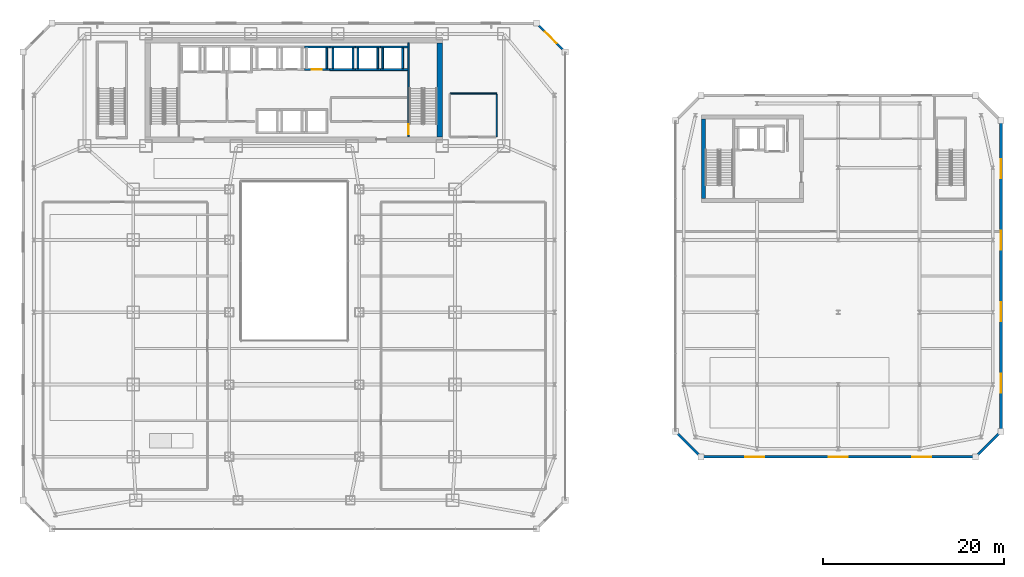
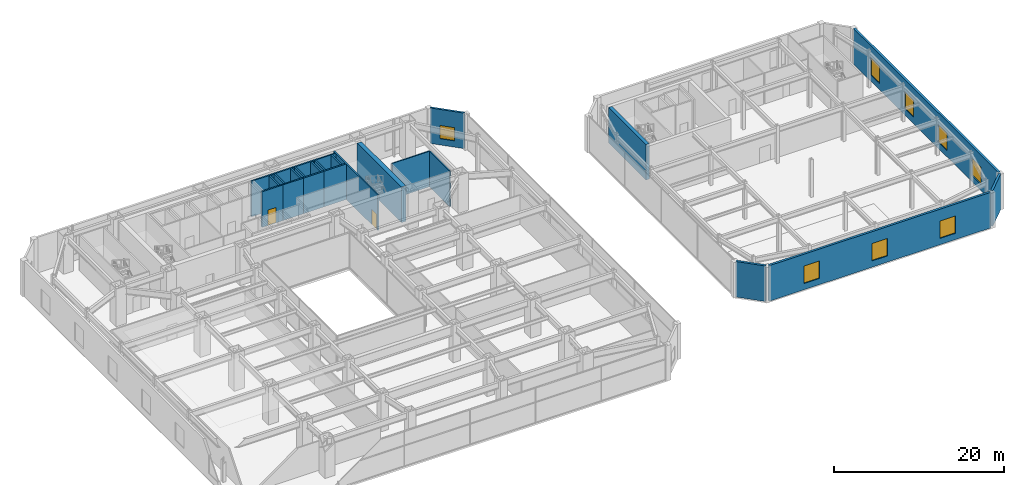
# One storey, part 41 of 51: 25 walls, 8 windows, 2 doors, 10 openings.
"""IFC4 building model written with IfcOpenShell, lengths in metres."""

import ifcopenshell
import ifcopenshell.guid

model = None  # the IFC model being written
_history = None  # IfcOwnerHistory: only IFC2X3 demands one
_inside = {}  # id of a spatial element -> (the spatial element, [elements in it])
_under = {}  # id of a project, library or spatial element -> (it, [spatial elements below it])
_declared = {}  # id of a project -> (the project, [libraries it declares])
_typed = {}  # id of a type object -> (the type object, [elements of that type])
_made_of = {}  # id of a material, layer set ... -> (it, [elements and type objects made of it])


def new_model(schema):
    """Start an empty IFC model of exactly this schema.

    Asked for "IFC4X3", IfcOpenShell would pick the latest addendum, in which some entities
    have other attributes; the version numbers below select the first issue.
    IFC2X3 requires an IfcOwnerHistory on every rooted entity: one is made here for all.
    """
    global model, _history
    if schema == "IFC4X3":
        model = ifcopenshell.file(schema_version=(4, 3, 0, 0))
    else:
        model = ifcopenshell.file(schema=schema)
    _inside.clear()
    _under.clear()
    _declared.clear()
    _typed.clear()
    _made_of.clear()
    _history = None
    if model.schema == "IFC2X3":
        org = make("IfcOrganization", Name="unknown")
        user = make(
            "IfcPersonAndOrganization",
            ThePerson=make("IfcPerson", FamilyName="unknown"),
            TheOrganization=org,
        )
        app = make(
            "IfcApplication",
            ApplicationDeveloper=org,
            Version="unknown",
            ApplicationFullName="unknown",
            ApplicationIdentifier="unknown",
        )
        _history = make(
            "IfcOwnerHistory",
            OwningUser=user,
            OwningApplication=app,
            ChangeAction="ADDED",
            CreationDate=0,
        )
    return model


def make(cls, **values):
    """One entity of the class cls with the attributes given. An attribute that is None is left unset."""
    return model.create_entity(
        cls, **{name: value for name, value in values.items() if value is not None}
    )


def rooted(cls, **values):
    """An entity with a GlobalId (a new one), such as an element, a storey or a relation."""
    return make(cls, GlobalId=ifcopenshell.guid.new(), OwnerHistory=_history, **values)


def si_unit(unit_type, name, prefix=None):
    """IfcSIUnit, for example si_unit("LENGTHUNIT", "METRE", prefix="MILLI")."""
    return make("IfcSIUnit", UnitType=unit_type, Prefix=prefix, Name=name)


def assignment(units):
    """IfcUnitAssignment: the units of a project."""
    return None if units is None else make("IfcUnitAssignment", Units=units)


def point(xyz):
    """IfcCartesianPoint."""
    return None if xyz is None else make("IfcCartesianPoint", Coordinates=xyz)


def direction(xyz):
    """IfcDirection."""
    return None if xyz is None else make("IfcDirection", DirectionRatios=xyz)


def frame(location, z_axis=None, x_axis=None):
    """IfcAxis2Placement3D, a coordinate frame: its origin and axes. An axis left out is left unset."""
    return make(
        "IfcAxis2Placement3D",
        Location=point(location),
        Axis=direction(z_axis),
        RefDirection=direction(x_axis),
    )


def frame_2d(location, x_axis=None):
    """IfcAxis2Placement2D, a coordinate frame in the plane: its origin and x axis."""
    return make(
        "IfcAxis2Placement2D", Location=point(location), RefDirection=direction(x_axis)
    )


def origin():
    """The frame at (0, 0, 0) with its axes left unset."""
    return frame((0.0, 0.0, 0.0))


def place(relative_to, where):
    """IfcLocalPlacement: puts the frame where relative to a parent placement (None: the world)."""
    return make(
        "IfcLocalPlacement", PlacementRelTo=relative_to, RelativePlacement=where
    )


def context(
    kind, dimensions, precision=None, world=None, true_north=None, identifier=None
):
    """IfcGeometricRepresentationContext, for example the 3D "Model" context."""
    return make(
        "IfcGeometricRepresentationContext",
        ContextIdentifier=identifier,
        ContextType=kind,
        CoordinateSpaceDimension=dimensions,
        Precision=precision,
        WorldCoordinateSystem=world,
        TrueNorth=true_north,
    )


def subcontext(parent, identifier, kind, view, scale=None):
    """IfcGeometricRepresentationSubContext, for example "Body" below "Model"."""
    return make(
        "IfcGeometricRepresentationSubContext",
        ContextIdentifier=identifier,
        ContextType=kind,
        ParentContext=parent,
        TargetScale=scale,
        TargetView=view,
    )


def project(units=None, contexts=None):
    """IfcProject with its units and contexts."""
    return rooted(
        "IfcProject",
        Name="project",
        RepresentationContexts=contexts,
        UnitsInContext=assignment(units),
    )


def spatial(cls, under=None, at=None, **own):
    """A site, building, storey or space (cls), placed at a placement, below another one or the project."""
    s = rooted(cls, ObjectPlacement=at, **own)
    if under is not None:
        _under.setdefault(under.id(), (under, []))[1].append(s)
    return s


def profile(cls, at=None, kind="AREA", **sizes):
    """A parametric profile (cls). Its sizes go by their IFC names, for example OverallWidth=200.0."""
    return make(cls, ProfileType=kind, Position=at, **sizes)


def rectangle(**sizes):
    """IfcRectangleProfileDef."""
    return profile("IfcRectangleProfileDef", **sizes)


def extrude(swept, where, along, depth):
    """IfcExtrudedAreaSolid: the profile swept, set in the frame where, extruded along a direction by depth."""
    return make(
        "IfcExtrudedAreaSolid",
        SweptArea=swept,
        Position=where,
        ExtrudedDirection=direction(along),
        Depth=depth,
    )


def shape(context_of_items, identifier, shape_type, items):
    """IfcShapeRepresentation: the items that make up one representation, for example the "Body"."""
    return make(
        "IfcShapeRepresentation",
        ContextOfItems=context_of_items,
        RepresentationIdentifier=identifier,
        RepresentationType=shape_type,
        Items=items,
    )


def material(Name=None, Category=None):
    """IfcMaterial."""
    return make("IfcMaterial", Name=Name, Category=Category)


def layer(
    of_material, thickness, ventilated=None, Name=None, Category=None, Priority=None
):
    """IfcMaterialLayer: one layer of a wall or slab, of a material (None: an air gap)."""
    return make(
        "IfcMaterialLayer",
        Material=of_material,
        LayerThickness=thickness,
        IsVentilated=ventilated,
        Name=Name,
        Category=Category,
        Priority=Priority,
    )


def layer_set(layers, Name=None):
    """IfcMaterialLayerSet."""
    return make("IfcMaterialLayerSet", MaterialLayers=layers, LayerSetName=Name)


def made_of(thing, what):
    """Note that an element or type object is made of a material, layer set ...; save() writes the relation."""
    if what is not None:
        _made_of.setdefault(what.id(), (what, []))[1].append(thing)
    return thing


def type_object(cls, material=None, **own):
    """A type object (cls), such as IfcWallType, which elements share."""
    return made_of(rooted(cls, **own), material)


def element(
    cls,
    number,
    at=None,
    inside=None,
    cuts=None,
    type_object=None,
    material=None,
    context=None,
    identifier="Body",
    shape_type=None,
    held_by="IfcProductDefinitionShape",
    body=None,
    shapes=None,
    **own,
):
    """One element of the class cls, such as IfcWall. Its Tag is "e" and its number.

    at: its placement. inside: the storey or other place that contains it. cuts: it is an
    opening in that element (IfcRelVoidsElement). A single representation is given by context,
    identifier, shape_type and body (its items); several are given by shapes. held_by: the class
    of the entity that holds the representations. save() writes the other relations.
    """
    e = rooted(cls, Tag="e%d" % number, ObjectPlacement=at, **own)
    if body is not None:
        shapes = [shape(context, identifier, shape_type, body)]
    if shapes is not None:
        e.Representation = make(held_by, Representations=shapes)
    if inside is not None:
        _inside.setdefault(inside.id(), (inside, []))[1].append(e)
    if cuts is not None:
        rooted(
            "IfcRelVoidsElement", RelatingBuildingElement=cuts, RelatedOpeningElement=e
        )
    if type_object is not None:
        _typed.setdefault(type_object.id(), (type_object, []))[1].append(e)
    return made_of(e, material)


def fill(opening, filler):
    """IfcRelFillsElement: the door or window that sits in an opening."""
    return rooted(
        "IfcRelFillsElement",
        RelatingOpeningElement=opening,
        RelatedBuildingElement=filler,
    )


def aggregate(whole, parts):
    """IfcRelAggregates: a whole, such as a stair, and the parts it consists of."""
    return rooted("IfcRelAggregates", RelatingObject=whole, RelatedObjects=parts)


def save(model, path):
    """Write the relations noted so far, then the file.

    IfcRelAggregates (storeys below a building ...), IfcRelContainedInSpatialStructure (elements
    in a storey), IfcRelDefinesByType, IfcRelAssociatesMaterial and IfcRelDeclares: one each for
    every whole, place, type object, material and project.
    """
    for whole, parts in _under.values():
        aggregate(whole, parts)
    for where, things in _inside.values():
        rooted(
            "IfcRelContainedInSpatialStructure",
            RelatedElements=things,
            RelatingStructure=where,
        )
    for kind, things in _typed.values():
        rooted("IfcRelDefinesByType", RelatedObjects=things, RelatingType=kind)
    for what, things in _made_of.values():
        rooted("IfcRelAssociatesMaterial", RelatedObjects=things, RelatingMaterial=what)
    for by, libraries in _declared.values():
        rooted("IfcRelDeclares", RelatingContext=by, RelatedDefinitions=libraries)
    model.write(path)


model = new_model("IFC4")

# Units and contexts
model_context = context("Model", 3, precision=1e-05, world=origin(), true_north=direction((0.0, 1.0)))
body_context = subcontext(model_context, "Body", "Model", "MODEL_VIEW")
ifc_project = project(units=[si_unit("LENGTHUNIT", "METRE"), si_unit("AREAUNIT", "SQUARE_METRE"), si_unit("VOLUMEUNIT", "CUBIC_METRE"), si_unit("PLANEANGLEUNIT", "RADIAN"), si_unit("MASSUNIT", "GRAM", prefix="KILO")], contexts=[model_context])

# Site, building, storey
site_placement = place(None, origin())
site = spatial("IfcSite", under=ifc_project, at=site_placement, CompositionType="ELEMENT")
building_placement = place(site_placement, origin())
building = spatial("IfcBuilding", under=site, at=building_placement, Name="Saevonmaru Cultural Tower", CompositionType="ELEMENT")
storey_placement = place(building_placement, frame((0.0, 0.0, 6.0)))
storey = spatial("IfcBuildingStorey", under=building, at=storey_placement, Name="L01", CompositionType="ELEMENT", Elevation=6.0)

# Walls
ifc_material_1 = material(Name="Concrete C60/75", Category="concrete")
ifc_layer_1 = layer(ifc_material_1, 0.60009765625, Name="Concrete C60/75")
ifc_layer_set_1 = layer_set([ifc_layer_1], Name="Concrete C60/75")
wall_type_1 = type_object("IfcWallType", Name="WL-CORE-600", PredefinedType="SHEAR", material=ifc_layer_set_1)
wall_1_placement = place(storey_placement, frame((46.10009765625, 43.39990234375, 0.0), z_axis=(0.0, 0.0, 1.0), x_axis=(0.0, 1.0, 0.0)))
element("IfcWall", 1, at=wall_1_placement, inside=storey, type_object=wall_type_1, Name="L01 Tower RC core shear wall E", PredefinedType="SHEAR", context=body_context, shape_type="SweptSolid", body=[
    extrude(rectangle(XDim=10.400146484375, YDim=0.60009765625, at=frame_2d((5.2001953125, 0.0))), origin(), (0.0, 0.0, 1.0), 5.10009765625),
])
ifc_material_2 = material(Name="Warm Limestone Precast Concrete C40/50", Category="masonry")
ifc_layer_2 = layer(ifc_material_2, 0.300048828125, Name="Warm Limestone Precast Concrete C40/50")
ifc_layer_set_2 = layer_set([ifc_layer_2], Name="Warm Limestone Precast Concrete C40/50")
wall_type_2 = type_object("IfcWallType", Name="WL-EXT-LIB-300", PredefinedType="STANDARD", material=ifc_layer_set_2)
wall_2_placement = place(storey_placement, frame((72.31298828125, 10.68701171875, 0.0), z_axis=(0.0, 0.0, 1.0), x_axis=(0.707106781187, -0.707106781187, 0.0)))
element("IfcWall", 2, at=wall_2_placement, inside=storey, type_object=wall_type_2, Name="L01 Central Library Fluted Stone Wall E1", PredefinedType="STANDARD", context=body_context, shape_type="SweptSolid", body=[
    extrude(rectangle(XDim=3.64013671875, YDim=0.300048828125, at=frame_2d((1.820068359375, 0.0))), origin(), (0.0, 0.0, 1.0), 5.10009765625),
])

# Wall, openings, windows
wall_3_placement = place(storey_placement, frame((75.159912109375, 8.0, 0.0), z_axis=(0.0, 0.0, 1.0), x_axis=(1.0, 0.0, 0.0)))
wall_3 = element("IfcWall", 3, at=wall_3_placement, inside=storey, type_object=wall_type_2, Name="L01 Central Library Fluted Stone Wall E2", PredefinedType="STANDARD", context=body_context, shape_type="SweptSolid", body=[
    extrude(rectangle(XDim=30.080078125, YDim=0.300048828125, at=frame_2d((15.0400390625, 0.0))), origin(), (0.0, 0.0, 1.0), 5.10009765625),
])
opening_1_placement = place(wall_3_placement, frame((4.762939453125, 0.0, 0.89990234375)))
opening_1 = element("IfcOpeningElement", 4, at=opening_1_placement, cuts=wall_3, Name="Opening W-3", PredefinedType="OPENING", context=body_context, shape_type="SweptSolid", body=[
    extrude(rectangle(XDim=2.10009765625, YDim=2.5, at=frame_2d((1.050048828125, 1.25))), frame((0.0, 0.16015625, 0.0), z_axis=(0.0, -1.0, 0.0), x_axis=(1.0, 0.0, 0.0)), (0.0, 0.0, 1.0), 0.320068359375),
])
opening_2_placement = place(wall_3_placement, frame((13.989990234375, 0.0, 0.89990234375)))
opening_2 = element("IfcOpeningElement", 5, at=opening_2_placement, cuts=wall_3, Name="Opening W-3", PredefinedType="OPENING", context=body_context, shape_type="SweptSolid", body=[
    extrude(rectangle(XDim=2.10009765625, YDim=2.5, at=frame_2d((1.050048828125, 1.25))), frame((0.0, 0.16015625, 0.0), z_axis=(0.0, -1.0, 0.0), x_axis=(1.0, 0.0, 0.0)), (0.0, 0.0, 1.0), 0.320068359375),
])
opening_3_placement = place(wall_3_placement, frame((23.217041015625, 0.0, 0.89990234375)))
opening_3 = element("IfcOpeningElement", 6, at=opening_3_placement, cuts=wall_3, Name="Opening W-3", PredefinedType="OPENING", context=body_context, shape_type="SweptSolid", body=[
    extrude(rectangle(XDim=2.10009765625, YDim=2.5, at=frame_2d((1.050048828125, 1.25))), frame((0.0, 0.16015625, 0.0), z_axis=(0.0, -1.0, 0.0), x_axis=(1.0, 0.0, 0.0)), (0.0, 0.0, 1.0), 0.320068359375),
])
ifc_material_3 = material(Name="Satin Bronze Anodised Aluminium", Category="aluminium")
window_type_1 = type_object("IfcWindowType", Name="WN-LIB-2100x2500", PartitioningType="DOUBLE_PANEL_VERTICAL", PredefinedType="WINDOW", material=ifc_material_3)
window_1_placement = place(opening_1_placement, origin())
window_1 = element("IfcWindow", 7, at=window_1_placement, inside=storey, type_object=window_type_1, Name="L01 Library Reading Window E2-1", OverallHeight=2.5, OverallWidth=2.10009765625, PartitioningType="DOUBLE_PANEL_VERTICAL", PredefinedType="WINDOW", context=body_context, shape_type="SweptSolid", body=[
    extrude(rectangle(XDim=2.10009765625, YDim=2.5, at=frame_2d((1.050048828125, 1.25))), frame((0.0, 0.030029296875, 0.0), z_axis=(0.0, -1.0, 0.0), x_axis=(1.0, 0.0, 0.0)), (0.0, 0.0, 1.0), 0.06005859375),
])
fill(opening_1, window_1)
window_2_placement = place(opening_2_placement, origin())
window_2 = element("IfcWindow", 8, at=window_2_placement, inside=storey, type_object=window_type_1, Name="L01 Library Reading Window E2-2", OverallHeight=2.5, OverallWidth=2.10009765625, PartitioningType="DOUBLE_PANEL_VERTICAL", PredefinedType="WINDOW", context=body_context, shape_type="SweptSolid", body=[
    extrude(rectangle(XDim=2.10009765625, YDim=2.5, at=frame_2d((1.050048828125, 1.25))), frame((0.0, 0.030029296875, 0.0), z_axis=(0.0, -1.0, 0.0), x_axis=(1.0, 0.0, 0.0)), (0.0, 0.0, 1.0), 0.06005859375),
])
fill(opening_2, window_2)
window_3_placement = place(opening_3_placement, origin())
window_3 = element("IfcWindow", 9, at=window_3_placement, inside=storey, type_object=window_type_1, Name="L01 Library Reading Window E2-3", OverallHeight=2.5, OverallWidth=2.10009765625, PartitioningType="DOUBLE_PANEL_VERTICAL", PredefinedType="WINDOW", context=body_context, shape_type="SweptSolid", body=[
    extrude(rectangle(XDim=2.10009765625, YDim=2.5, at=frame_2d((1.050048828125, 1.25))), frame((0.0, 0.030029296875, 0.0), z_axis=(0.0, -1.0, 0.0), x_axis=(1.0, 0.0, 0.0)), (0.0, 0.0, 1.0), 0.06005859375),
])
fill(opening_3, window_3)

# Wall
wall_4_placement = place(storey_placement, frame((105.51318359375, 8.113037109375, 0.0), z_axis=(0.0, 0.0, 1.0), x_axis=(0.707073244381, 0.707140316402, 0.0)))
element("IfcWall", 10, at=wall_4_placement, inside=storey, type_object=wall_type_2, Name="L01 Central Library Fluted Stone Wall E3", PredefinedType="STANDARD", context=body_context, shape_type="SweptSolid", body=[
    extrude(rectangle(XDim=3.639892578125, YDim=0.300048828125, at=frame_2d((1.81982421875, 0.0))), origin(), (0.0, 0.0, 1.0), 5.10009765625),
])

# Wall, openings, windows
wall_5_placement = place(storey_placement, frame((108.199951171875, 10.9599609375, 0.0), z_axis=(0.0, 0.0, 1.0), x_axis=(0.0, 1.0, 0.0)))
wall_5 = element("IfcWall", 11, at=wall_5_placement, inside=storey, type_object=wall_type_2, Name="L01 Central Library Fluted Stone Wall E4", PredefinedType="STANDARD", context=body_context, shape_type="SweptSolid", body=[
    extrude(rectangle(XDim=34.080078125, YDim=0.300048828125, at=frame_2d((17.0400390625, 0.0))), origin(), (0.0, 0.0, 1.0), 5.10009765625),
])
opening_4_placement = place(wall_5_placement, frame((4.110107421875, 0.0, 0.89990234375)))
opening_4 = element("IfcOpeningElement", 12, at=opening_4_placement, cuts=wall_5, Name="Opening W-3", PredefinedType="OPENING", context=body_context, shape_type="SweptSolid", body=[
    extrude(rectangle(XDim=2.10009765625, YDim=2.5, at=frame_2d((1.050048828125, 1.25))), frame((0.0, 0.16015625, 0.0), z_axis=(0.0, -1.0, 0.0), x_axis=(1.0, 0.0, 0.0)), (0.0, 0.0, 1.0), 0.320068359375),
])
opening_5_placement = place(wall_5_placement, frame((12.030029296875, 0.0, 0.89990234375)))
opening_5 = element("IfcOpeningElement", 13, at=opening_5_placement, cuts=wall_5, Name="Opening W-3", PredefinedType="OPENING", context=body_context, shape_type="SweptSolid", body=[
    extrude(rectangle(XDim=2.10009765625, YDim=2.5, at=frame_2d((1.050048828125, 1.25))), frame((0.0, 0.16015625, 0.0), z_axis=(0.0, -1.0, 0.0), x_axis=(1.0, 0.0, 0.0)), (0.0, 0.0, 1.0), 0.320068359375),
])
opening_6_placement = place(wall_5_placement, frame((19.949951171875, 0.0, 0.89990234375)))
opening_6 = element("IfcOpeningElement", 14, at=opening_6_placement, cuts=wall_5, Name="Opening W-3", PredefinedType="OPENING", context=body_context, shape_type="SweptSolid", body=[
    extrude(rectangle(XDim=2.10009765625, YDim=2.5, at=frame_2d((1.050048828125, 1.25))), frame((0.0, 0.16015625, 0.0), z_axis=(0.0, -1.0, 0.0), x_axis=(1.0, 0.0, 0.0)), (0.0, 0.0, 1.0), 0.320068359375),
])
opening_7_placement = place(wall_5_placement, frame((27.8701171875, 0.0, 0.89990234375)))
opening_7 = element("IfcOpeningElement", 15, at=opening_7_placement, cuts=wall_5, Name="Opening W-3", PredefinedType="OPENING", context=body_context, shape_type="SweptSolid", body=[
    extrude(rectangle(XDim=2.10009765625, YDim=2.5, at=frame_2d((1.050048828125, 1.25))), frame((0.0, 0.16015625, 0.0), z_axis=(0.0, -1.0, 0.0), x_axis=(1.0, 0.0, 0.0)), (0.0, 0.0, 1.0), 0.320068359375),
])
window_4_placement = place(opening_4_placement, origin())
window_4 = element("IfcWindow", 16, at=window_4_placement, inside=storey, type_object=window_type_1, Name="L01 Library Reading Window E4-1", OverallHeight=2.5, OverallWidth=2.10009765625, PartitioningType="DOUBLE_PANEL_VERTICAL", PredefinedType="WINDOW", context=body_context, shape_type="SweptSolid", body=[
    extrude(rectangle(XDim=2.10009765625, YDim=2.5, at=frame_2d((1.050048828125, 1.25))), frame((0.0, 0.030029296875, 0.0), z_axis=(0.0, -1.0, 0.0), x_axis=(1.0, 0.0, 0.0)), (0.0, 0.0, 1.0), 0.06005859375),
])
fill(opening_4, window_4)
window_5_placement = place(opening_5_placement, origin())
window_5 = element("IfcWindow", 17, at=window_5_placement, inside=storey, type_object=window_type_1, Name="L01 Library Reading Window E4-2", OverallHeight=2.5, OverallWidth=2.10009765625, PartitioningType="DOUBLE_PANEL_VERTICAL", PredefinedType="WINDOW", context=body_context, shape_type="SweptSolid", body=[
    extrude(rectangle(XDim=2.10009765625, YDim=2.5, at=frame_2d((1.050048828125, 1.25))), frame((0.0, 0.030029296875, 0.0), z_axis=(0.0, -1.0, 0.0), x_axis=(1.0, 0.0, 0.0)), (0.0, 0.0, 1.0), 0.06005859375),
])
fill(opening_5, window_5)
window_6_placement = place(opening_6_placement, origin())
window_6 = element("IfcWindow", 18, at=window_6_placement, inside=storey, type_object=window_type_1, Name="L01 Library Reading Window E4-3", OverallHeight=2.5, OverallWidth=2.10009765625, PartitioningType="DOUBLE_PANEL_VERTICAL", PredefinedType="WINDOW", context=body_context, shape_type="SweptSolid", body=[
    extrude(rectangle(XDim=2.10009765625, YDim=2.5, at=frame_2d((1.050048828125, 1.25))), frame((0.0, 0.030029296875, 0.0), z_axis=(0.0, -1.0, 0.0), x_axis=(1.0, 0.0, 0.0)), (0.0, 0.0, 1.0), 0.06005859375),
])
fill(opening_6, window_6)
window_7_placement = place(opening_7_placement, origin())
window_7 = element("IfcWindow", 19, at=window_7_placement, inside=storey, type_object=window_type_1, Name="L01 Library Reading Window E4-4", OverallHeight=2.5, OverallWidth=2.10009765625, PartitioningType="DOUBLE_PANEL_VERTICAL", PredefinedType="WINDOW", context=body_context, shape_type="SweptSolid", body=[
    extrude(rectangle(XDim=2.10009765625, YDim=2.5, at=frame_2d((1.050048828125, 1.25))), frame((0.0, 0.030029296875, 0.0), z_axis=(0.0, -1.0, 0.0), x_axis=(1.0, 0.0, 0.0)), (0.0, 0.0, 1.0), 0.06005859375),
])
fill(opening_7, window_7)

# Wall, opening, window
ifc_material_4 = material(Name="Granite-Clad Precast Concrete C40/50", Category="masonry")
ifc_layer_3 = layer(ifc_material_4, 0.260009765625, Name="Granite-Clad Precast Concrete C40/50")
ifc_layer_set_3 = layer_set([ifc_layer_3], Name="Granite-Clad Precast Concrete C40/50")
wall_type_3 = type_object("IfcWallType", Name="WL-EXT-SPANDREL-260", PredefinedType="STANDARD", material=ifc_layer_set_3)
wall_6_placement = place(storey_placement, frame((59.886962890625, 52.9130859375, 0.0), z_axis=(0.0, 0.0, 1.0), x_axis=(-0.707106781187, 0.707106781187, 0.0)))
wall_6 = element("IfcWall", 20, at=wall_6_placement, inside=storey, type_object=wall_type_3, Name="L01 Podium Bronze-Granite Exterior Wall E5", PredefinedType="STANDARD", context=body_context, shape_type="SweptSolid", body=[
    extrude(rectangle(XDim=4.205810546875, YDim=0.260009765625, at=frame_2d((2.10302734375, 0.0))), origin(), (0.0, 0.0, 1.0), 5.10009765625),
])
opening_8_placement = place(wall_6_placement, frame((1.202880859375, 0.0, 0.89990234375)))
opening_8 = element("IfcOpeningElement", 21, at=opening_8_placement, cuts=wall_6, Name="Opening W-2", PredefinedType="OPENING", context=body_context, shape_type="SweptSolid", body=[
    extrude(rectangle(XDim=1.800048828125, YDim=1.89990234375, at=frame_2d((0.89990234375, 0.949951171875))), frame((0.0, 0.14013671875, 0.0), z_axis=(0.0, -1.0, 0.0), x_axis=(1.0, 0.0, 0.0)), (0.0, 0.0, 1.0), 0.280029296875),
])
window_type_2 = type_object("IfcWindowType", Name="WN-DECO-1800x1900", PartitioningType="SINGLE_PANEL", PredefinedType="WINDOW", material=ifc_material_3)
window_8_placement = place(opening_8_placement, origin())
window_8 = element("IfcWindow", 22, at=window_8_placement, inside=storey, type_object=window_type_2, Name="L01 Chamfer Bay Window E5", OverallHeight=1.89990234375, OverallWidth=1.800048828125, PartitioningType="SINGLE_PANEL", PredefinedType="WINDOW", context=body_context, shape_type="SweptSolid", body=[
    extrude(rectangle(XDim=1.800048828125, YDim=1.89990234375, at=frame_2d((0.89990234375, 0.949951171875))), frame((0.0, 0.030029296875, 0.0), z_axis=(0.0, -1.0, 0.0), x_axis=(1.0, 0.0, 0.0)), (0.0, 0.0, 1.0), 0.06005859375),
])
fill(opening_8, window_8)

# Walls
ifc_material_5 = material(Name="Concrete C50/60", Category="concrete")
ifc_layer_4 = layer(ifc_material_5, 0.449951171875, Name="Concrete C50/60")
ifc_layer_set_4 = layer_set([ifc_layer_4], Name="Concrete C50/60")
wall_type_4 = type_object("IfcWallType", Name="WL-LCORE-450", PredefinedType="SHEAR", material=ifc_layer_set_4)
wall_7_placement = place(storey_placement, frame((75.27490234375, 36.60009765625, 0.0), z_axis=(0.0, 0.0, 1.0), x_axis=(0.0, 1.0, 0.0)))
element("IfcWall", 23, at=wall_7_placement, inside=storey, type_object=wall_type_4, Name="L01 Central Library RC core shear wall W", PredefinedType="SHEAR", context=body_context, shape_type="SweptSolid", body=[
    extrude(rectangle(XDim=8.7998046875, YDim=0.449951171875, at=frame_2d((4.39990234375, 0.0))), origin(), (0.0, 0.0, 1.0), 5.10009765625),
])
ifc_material_6 = material(Name="Gypsum Fireboard Partition", Category="gypsum")
ifc_layer_5 = layer(ifc_material_6, 0.139892578125, Name="Gypsum Fireboard Partition")
ifc_layer_set_5 = layer_set([ifc_layer_5], Name="Gypsum Fireboard Partition")
wall_type_5 = type_object("IfcWallType", Name="WL-PART-WET-140", PredefinedType="PARTITIONING", material=ifc_layer_set_5)
wall_8_placement = place(storey_placement, frame((47.2900390625, 48.199951171875, 0.0), z_axis=(0.0, 0.0, 1.0), x_axis=(1.0, 0.0, 0.0)))
element("IfcWall", 24, at=wall_8_placement, inside=storey, type_object=wall_type_5, Name="L01 Podium Washroom North Wall", PredefinedType="PARTITIONING", context=body_context, shape_type="SweptSolid", body=[
    extrude(rectangle(XDim=5.10986328125, YDim=0.139892578125, at=frame_2d((2.554931640625, 0.0))), origin(), (0.0, 0.0, 1.0), 5.10009765625),
])
wall_9_placement = place(storey_placement, frame((52.39990234375, 43.39990234375, 0.0), z_axis=(0.0, 0.0, 1.0), x_axis=(0.0, 1.0, 0.0)))
element("IfcWall", 25, at=wall_9_placement, inside=storey, type_object=wall_type_5, Name="L01 Podium Washroom East Wall", PredefinedType="PARTITIONING", context=body_context, shape_type="SweptSolid", body=[
    extrude(rectangle(XDim=4.710205078125, YDim=0.139892578125, at=frame_2d((2.35498046875, 0.0))), origin(), (0.0, 0.0, 1.0), 5.10009765625),
])

# Wall, opening, door
ifc_material_7 = material(Name="Concrete C40/50", Category="concrete")
ifc_layer_6 = layer(ifc_material_7, 0.199951171875, Name="Concrete C40/50")
ifc_layer_set_6 = layer_set([ifc_layer_6], Name="Concrete C40/50")
wall_type_6 = type_object("IfcWallType", Name="WL-SHAFT-200", PredefinedType="SHEAR", material=ifc_layer_set_6)
wall_10_placement = place(storey_placement, frame((31.125, 50.85009765625, 0.0), z_axis=(0.0, 0.0, 1.0), x_axis=(1.0, 0.0, 0.0)))
wall_10 = element("IfcWall", 26, at=wall_10_placement, inside=storey, type_object=wall_type_6, Name="L01 Lift PL-L3 Hoistway Wall S", PredefinedType="SHEAR", context=body_context, shape_type="SweptSolid", body=[
    extrude(rectangle(XDim=2.824951171875, YDim=0.199951171875, at=frame_2d((1.41259765625, 0.0))), origin(), (0.0, 0.0, 1.0), 5.10009765625),
])
opening_9_placement = place(wall_10_placement, frame((0.824951171875, 0.0, 0.0)))
opening_9 = element("IfcOpeningElement", 27, at=opening_9_placement, cuts=wall_10, Name="Opening LD-1", PredefinedType="OPENING", context=body_context, shape_type="SweptSolid", body=[
    extrude(rectangle(XDim=1.10009765625, YDim=2.199951171875, at=frame_2d((0.550048828125, 1.10009765625))), frame((0.0, 0.10986328125, 0.0), z_axis=(0.0, -1.0, 0.0), x_axis=(1.0, 0.0, 0.0)), (0.0, 0.0, 1.0), 0.219970703125),
])
ifc_material_8 = material(Name="Satin Bronze Stainless Steel", Category="steel")
door_type_1 = type_object("IfcDoorType", Name="DR-LIFT-1100", OperationType="SLIDING_TO_LEFT", PredefinedType="DOOR", material=ifc_material_8)
door_1_placement = place(opening_9_placement, origin())
door_1 = element("IfcDoor", 28, at=door_1_placement, inside=storey, type_object=door_type_1, Name="L01 Lift PL-L3 Sliding Landing Door", OperationType="SLIDING_TO_LEFT", OverallHeight=2.199951171875, OverallWidth=1.10009765625, PredefinedType="DOOR", context=body_context, shape_type="SweptSolid", body=[
    extrude(rectangle(XDim=1.10009765625, YDim=2.199951171875, at=frame_2d((0.550048828125, 1.10009765625))), frame((0.0, 0.02490234375, 0.0), z_axis=(0.0, -1.0, 0.0), x_axis=(1.0, 0.0, 0.0)), (0.0, 0.0, 1.0), 0.050048828125),
])
fill(opening_9, door_1)

# Walls
wall_11_placement = place(storey_placement, frame((31.125, 53.35009765625, 0.0), z_axis=(0.0, 0.0, 1.0), x_axis=(1.0, 0.0, 0.0)))
element("IfcWall", 29, at=wall_11_placement, inside=storey, type_object=wall_type_6, Name="L01 Lift PL-L3 Hoistway Wall N", PredefinedType="SHEAR", context=body_context, shape_type="SweptSolid", body=[
    extrude(rectangle(XDim=2.824951171875, YDim=0.199951171875, at=frame_2d((1.41259765625, 0.0))), origin(), (0.0, 0.0, 1.0), 5.10009765625),
])
wall_12_placement = place(storey_placement, frame((33.60009765625, 50.949951171875, 0.0), z_axis=(0.0, 0.0, 1.0), x_axis=(0.0, 1.0, 0.0)))
element("IfcWall", 30, at=wall_12_placement, inside=storey, type_object=wall_type_6, Name="L01 Lift PL-L3 Hoistway Wall E", PredefinedType="SHEAR", context=body_context, shape_type="SweptSolid", body=[
    extrude(rectangle(XDim=2.300048828125, YDim=0.199951171875, at=frame_2d((1.14990234375, 0.0))), origin(), (0.0, 0.0, 1.0), 5.10009765625),
])
for number, where, z_axis, x_axis, name in (
    (31, (33.949951171875, 50.85009765625, 0.0), (0.0, 0.0, 1.0), (1.0, 0.0, 0.0), "L01 Lift PL-H1 Hoistway Wall S"),
    (32, (33.949951171875, 53.35009765625, 0.0), (0.0, 0.0, 1.0), (1.0, 0.0, 0.0), "L01 Lift PL-H1 Hoistway Wall N"),
):
    element("IfcWall", number, at=place(storey_placement, frame(where, z_axis=z_axis, x_axis=x_axis)), inside=storey, type_object=wall_type_6, Name=name, PredefinedType="SHEAR", context=body_context, shape_type="SweptSolid", body=[
        extrude(rectangle(XDim=2.824951171875, YDim=0.199951171875, at=frame_2d((1.41259765625, 0.0))), origin(), (0.0, 0.0, 1.0), 5.10009765625),
    ])
for number, where, z_axis, x_axis, name in (
    (33, (34.300048828125, 50.949951171875, 0.0), (0.0, 0.0, 1.0), (0.0, 1.0, 0.0), "L01 Lift PL-H1 Hoistway Wall W"),
    (34, (36.5, 50.949951171875, 0.0), (0.0, 0.0, 1.0), (0.0, 1.0, 0.0), "L01 Lift PL-H1 Hoistway Wall E"),
):
    element("IfcWall", number, at=place(storey_placement, frame(where, z_axis=z_axis, x_axis=x_axis)), inside=storey, type_object=wall_type_6, Name=name, PredefinedType="SHEAR", context=body_context, shape_type="SweptSolid", body=[
        extrude(rectangle(XDim=2.300048828125, YDim=0.199951171875, at=frame_2d((1.14990234375, 0.0))), origin(), (0.0, 0.0, 1.0), 5.10009765625),
    ])
for number, where, z_axis, x_axis, name in (
    (35, (36.77490234375, 50.85009765625, 0.0), (0.0, 0.0, 1.0), (1.0, 0.0, 0.0), "L01 Lift PL-H2 Hoistway Wall S"),
    (36, (36.77490234375, 53.35009765625, 0.0), (0.0, 0.0, 1.0), (1.0, 0.0, 0.0), "L01 Lift PL-H2 Hoistway Wall N"),
):
    element("IfcWall", number, at=place(storey_placement, frame(where, z_axis=z_axis, x_axis=x_axis)), inside=storey, type_object=wall_type_6, Name=name, PredefinedType="SHEAR", context=body_context, shape_type="SweptSolid", body=[
        extrude(rectangle(XDim=2.75, YDim=0.199951171875, at=frame_2d((1.375, 0.0))), origin(), (0.0, 0.0, 1.0), 5.10009765625),
    ])
for number, where, z_axis, x_axis, name in (
    (37, (37.050048828125, 50.949951171875, 0.0), (0.0, 0.0, 1.0), (0.0, 1.0, 0.0), "L01 Lift PL-H2 Hoistway Wall W"),
    (38, (39.25, 50.949951171875, 0.0), (0.0, 0.0, 1.0), (0.0, 1.0, 0.0), "L01 Lift PL-H2 Hoistway Wall E"),
):
    element("IfcWall", number, at=place(storey_placement, frame(where, z_axis=z_axis, x_axis=x_axis)), inside=storey, type_object=wall_type_6, Name=name, PredefinedType="SHEAR", context=body_context, shape_type="SweptSolid", body=[
        extrude(rectangle(XDim=2.300048828125, YDim=0.199951171875, at=frame_2d((1.14990234375, 0.0))), origin(), (0.0, 0.0, 1.0), 5.10009765625),
    ])
for number, where, z_axis, x_axis, name in (
    (39, (39.52490234375, 50.85009765625, 0.0), (0.0, 0.0, 1.0), (1.0, 0.0, 0.0), "L01 Lift PL-H3 Hoistway Wall S"),
    (40, (39.52490234375, 53.35009765625, 0.0), (0.0, 0.0, 1.0), (1.0, 0.0, 0.0), "L01 Lift PL-H3 Hoistway Wall N"),
):
    element("IfcWall", number, at=place(storey_placement, frame(where, z_axis=z_axis, x_axis=x_axis)), inside=storey, type_object=wall_type_6, Name=name, PredefinedType="SHEAR", context=body_context, shape_type="SweptSolid", body=[
        extrude(rectangle(XDim=3.045166015625, YDim=0.199951171875, at=frame_2d((1.5224609375, 0.0))), origin(), (0.0, 0.0, 1.0), 5.10009765625),
    ])
for number, where, z_axis, x_axis, name in (
    (41, (39.800048828125, 50.949951171875, 0.0), (0.0, 0.0, 1.0), (0.0, 1.0, 0.0), "L01 Lift PL-H3 Hoistway Wall W"),
    (42, (42.0, 50.949951171875, 0.0), (0.0, 0.0, 1.0), (0.0, 1.0, 0.0), "L01 Lift PL-H3 Hoistway Wall E"),
):
    element("IfcWall", number, at=place(storey_placement, frame(where, z_axis=z_axis, x_axis=x_axis)), inside=storey, type_object=wall_type_6, Name=name, PredefinedType="SHEAR", context=body_context, shape_type="SweptSolid", body=[
        extrude(rectangle(XDim=2.300048828125, YDim=0.199951171875, at=frame_2d((1.14990234375, 0.0))), origin(), (0.0, 0.0, 1.0), 5.10009765625),
    ])

# Wall, opening, door
ifc_layer_7 = layer(ifc_material_7, 0.179931640625, Name="Concrete C40/50")
ifc_layer_set_7 = layer_set([ifc_layer_7], Name="Concrete C40/50")
wall_type_7 = type_object("IfcWallType", Name="WL-STSHAFT-180", PredefinedType="SHEAR", material=ifc_layer_set_7)
wall_13_placement = place(storey_placement, frame((42.659912109375, 53.800048828125, 0.0), z_axis=(0.0, 0.0, 1.0), x_axis=(0.0, -1.0, 0.0)))
wall_13 = element("IfcWall", 43, at=wall_13_placement, inside=storey, type_object=wall_type_7, Name="L01 Stair ST-2 Structural Shaft Wall 1", PredefinedType="SHEAR", context=body_context, shape_type="SweptSolid", body=[
    extrude(rectangle(XDim=10.400146484375, YDim=0.179931640625, at=frame_2d((5.2001953125, 0.0))), origin(), (0.0, 0.0, 1.0), 5.10009765625),
])
opening_10_placement = place(wall_13_placement, frame((8.989990234375, 0.0, 0.0)))
opening_10 = element("IfcOpeningElement", 44, at=opening_10_placement, cuts=wall_13, Name="Opening FD-2", PredefinedType="OPENING", context=body_context, shape_type="SweptSolid", body=[
    extrude(rectangle(XDim=1.10009765625, YDim=2.14990234375, at=frame_2d((0.550048828125, 1.074951171875))), frame((0.0, 0.10009765625, 0.0), z_axis=(0.0, -1.0, 0.0), x_axis=(1.0, 0.0, 0.0)), (0.0, 0.0, 1.0), 0.199951171875),
])
door_type_2 = type_object("IfcDoorType", Name="DR-FD60-1100", OperationType="SINGLE_SWING_LEFT", PredefinedType="DOOR", material=ifc_material_3)
door_2_placement = place(opening_10_placement, origin())
door_2 = element("IfcDoor", 45, at=door_2_placement, inside=storey, type_object=door_type_2, Name="L01 Protected Stair ST-2 Fire Door", OperationType="SINGLE_SWING_LEFT", OverallHeight=2.14990234375, OverallWidth=1.10009765625, PredefinedType="DOOR", context=body_context, shape_type="SweptSolid", body=[
    extrude(rectangle(XDim=1.10009765625, YDim=2.14990234375, at=frame_2d((0.550048828125, 1.074951171875))), frame((0.0, 0.02490234375, 0.0), z_axis=(0.0, -1.0, 0.0), x_axis=(1.0, 0.0, 0.0)), (0.0, 0.0, 1.0), 0.050048828125),
])
fill(opening_10, door_2)

save(model, "model.ifc")
